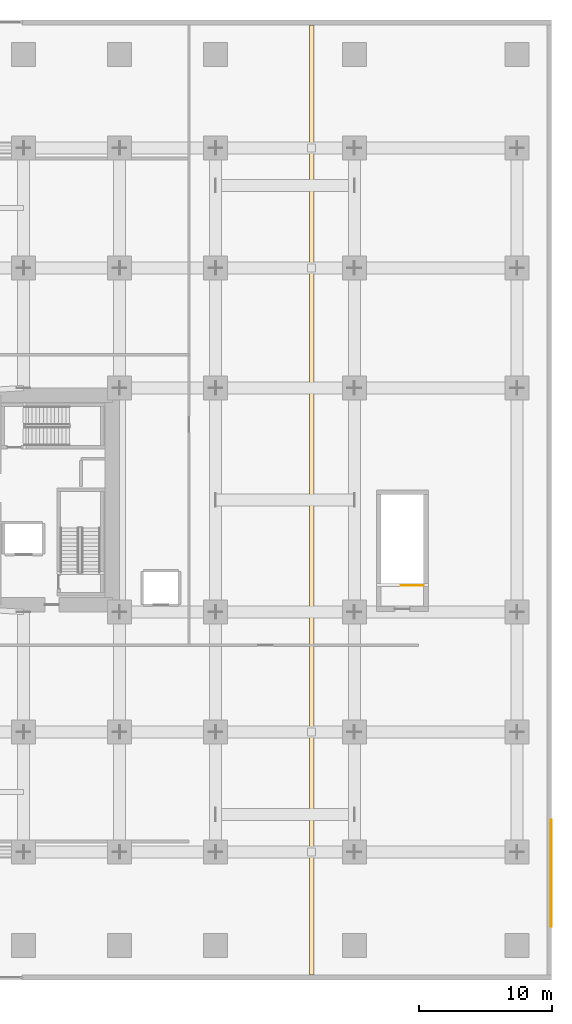
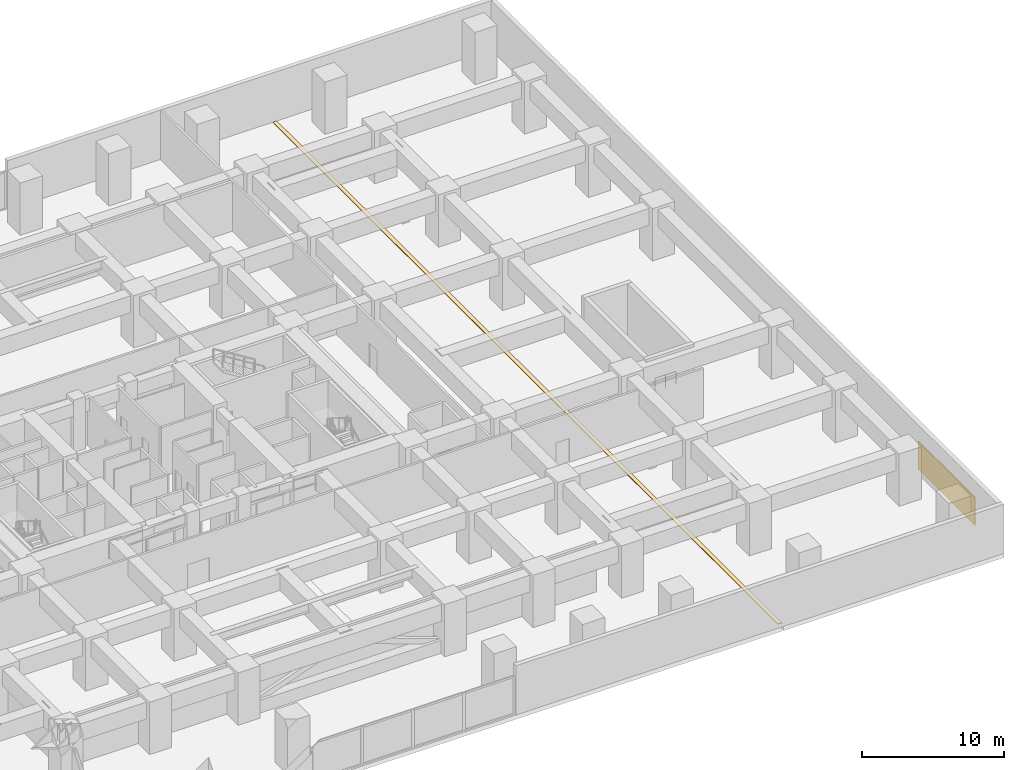
# One storey, part 25 of 25: 2 coverings, 1 railing.
"""IFC4 building model written with IfcOpenShell, lengths in metres."""

from ifc_helpers import new_model, si_unit, direction, frame, origin, origin_2d, place, context, subcontext, project, spatial, polyline, rectangle, outline, extrude, material, layer, layer_set, type_object, element, save


model = new_model("IFC4")

# Units and contexts
model_context = context("Model", 3, precision=1e-05, world=origin(), true_north=direction((0.0, 1.0)))
body_context = subcontext(model_context, "Body", "Model", "MODEL_VIEW")
ifc_project = project(units=[si_unit("LENGTHUNIT", "METRE"), si_unit("AREAUNIT", "SQUARE_METRE"), si_unit("VOLUMEUNIT", "CUBIC_METRE"), si_unit("PLANEANGLEUNIT", "RADIAN"), si_unit("MASSUNIT", "GRAM", prefix="KILO")], contexts=[model_context])

# Site, building, storey
site_placement = place(None, origin())
site = spatial("IfcSite", under=ifc_project, at=site_placement, CompositionType="ELEMENT")
building_placement = place(site_placement, origin())
building = spatial("IfcBuilding", under=site, at=building_placement, Name="Kiyonajd Concourse Tower", CompositionType="ELEMENT")
storey_placement = place(building_placement, frame((0.0, 0.0, 17.10009765625)))
storey = spatial("IfcBuildingStorey", under=building, at=storey_placement, Name="L05", CompositionType="ELEMENT", Elevation=17.10009765625)

# Coverings
ifc_material_1 = material(Name="Riyadh Jubaila Limestone", Category="masonry")
ifc_layer_1 = layer(ifc_material_1, 0.06005859375)
ifc_layer_set_1 = layer_set([ifc_layer_1], Name="Riyadh Jubaila Limestone")
covering_type_1 = type_object("IfcCoveringType", Name="CV-CLD-STONE", PredefinedType="CLADDING", material=ifc_layer_set_1)
covering_1_placement = place(storey_placement, origin())
element("IfcCovering", 1, at=covering_1_placement, inside=storey, type_object=covering_type_1, Name="L05 Riyadh Jubaila Limestone Pier Cladding 2", PredefinedType="CLADDING", context=body_context, shape_type="SweptSolid", body=[
    extrude(outline(polyline([(95.93994140625, 4.0), (96.0, 4.0), (96.0, 12.0), (95.93994140625, 12.0), (95.93994140625, 4.0)])), origin(), (0.0, 0.0, 1.0), 2.39990234375),
])
ifc_layer_2 = layer(ifc_material_1, 0.050048828125)
ifc_layer_set_2 = layer_set([ifc_layer_2], Name="Riyadh Jubaila Limestone")
covering_type_2 = type_object("IfcCoveringType", Name="CV-FLR-RAISED", PredefinedType="FLOORING", material=ifc_layer_set_2)
covering_2_placement = place(storey_placement, origin())
element("IfcCovering", 2, at=covering_2_placement, inside=storey, type_object=covering_type_2, Name="L05 Seismic Movement Joint MJ1 Floor Cover Assembly", PredefinedType="FLOORING", context=body_context, shape_type="SweptSolid", body=[
    extrude(outline(polyline([(77.840087890625, 0.39990234375), (78.159912109375, 0.39990234375), (78.159912109375, 71.60009765625), (77.840087890625, 71.60009765625), (77.840087890625, 0.39990234375)])), origin(), (0.0, 0.0, 1.0), 0.0498046875),
])

# Railing
ifc_material_2 = material(Name="Steel ASTM A500 Grade C", Category="steel")
railing_type = type_object("IfcRailingType", Name="RL-GRD-STR", PredefinedType="GUARDRAIL", material=ifc_material_2)
railing_placement = place(storey_placement, frame((86.39990234375, 29.60009765625, 0.0)))
element("IfcRailing", 3, at=railing_placement, inside=storey, type_object=railing_type, Name="L05 ST5 top well guard 1", PredefinedType="GUARDRAIL", context=body_context, shape_type="SweptSolid", body=[
    extrude(rectangle(XDim=0.048095703125, YDim=0.048095703125, at=origin_2d()), frame((0.0, 0.0, 1.076171875), z_axis=(-1.0, 0.0, 0.0), x_axis=(0.0, -1.0, 0.0)), (0.0, 0.0, 1.0), 1.699951171875),
    extrude(rectangle(XDim=0.0419921875, YDim=0.0419921875, at=origin_2d()), origin(), (0.0, 0.0, 1.0), 1.052001953125),
    extrude(rectangle(XDim=0.0419921875, YDim=0.0419921875, at=origin_2d()), frame((-0.85009765625, 0.0, 0.0)), (0.0, 0.0, 1.0), 1.052001953125),
    extrude(rectangle(XDim=0.0419921875, YDim=0.0419921875, at=origin_2d()), frame((-1.699951171875, 0.0, 0.0)), (0.0, 0.0, 1.0), 1.052001953125),
])

save(model, "model.ifc")
